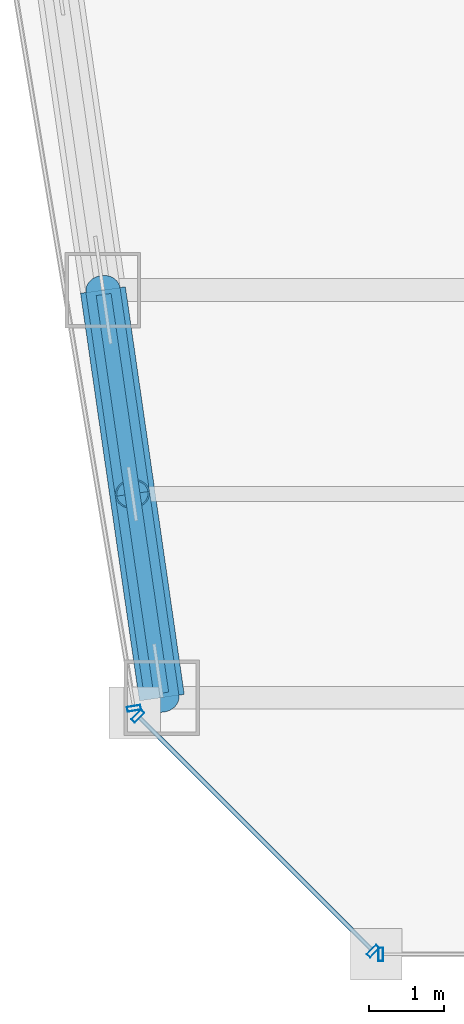
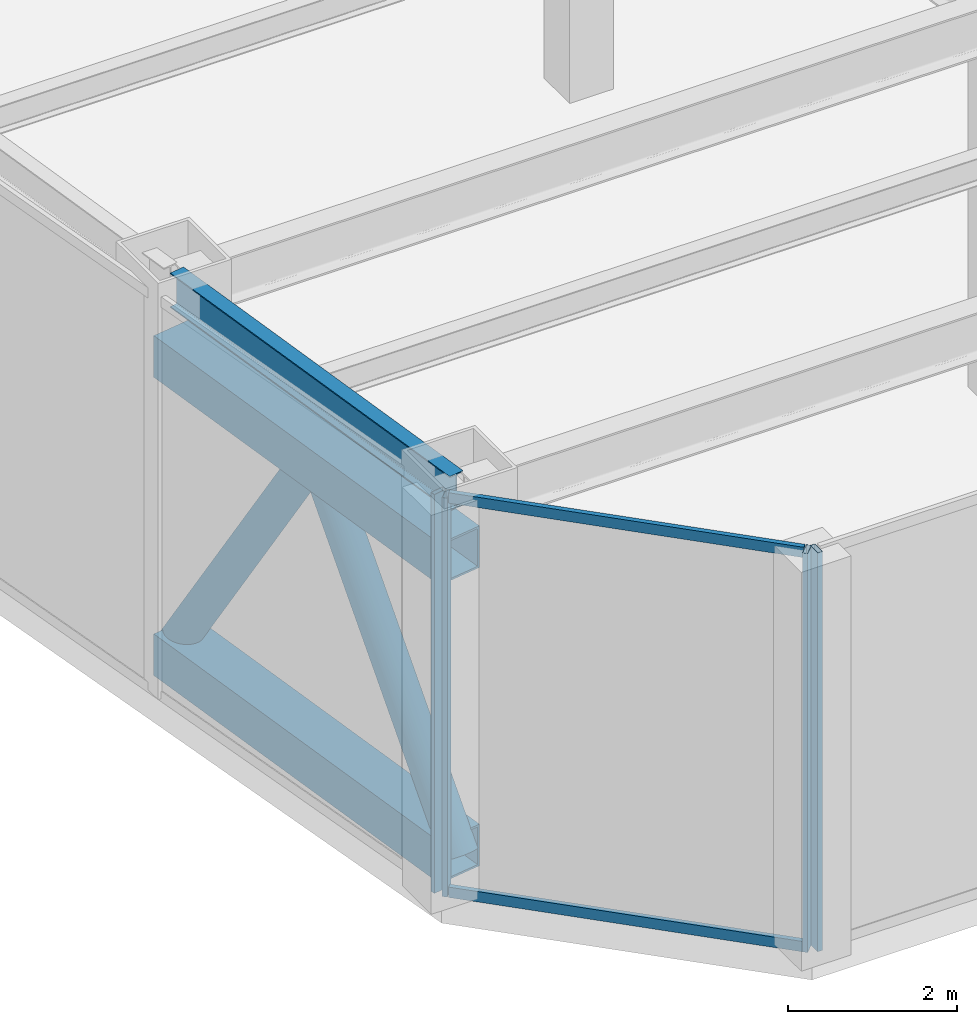
# One storey, part 2 of 30: 10 members, 1 beam, 3 elements without a shape of their own.
"""IFC4 building model written with IfcOpenShell, lengths in metres."""

from ifc_helpers import new_model, si_unit, direction, frame, origin, origin_2d, place, context, subcontext, project, spatial, hollow_rectangle, hollow_circle, i_section, extrude, material, material_profile, profile_set, type_object, element, aggregate, save


model = new_model("IFC4")

# Units and contexts
model_context = context("Model", 3, precision=1e-05, world=origin(), true_north=direction((0.0, 1.0)))
body_context = subcontext(model_context, "Body", "Model", "MODEL_VIEW")
ifc_project = project(units=[si_unit("LENGTHUNIT", "METRE"), si_unit("AREAUNIT", "SQUARE_METRE"), si_unit("VOLUMEUNIT", "CUBIC_METRE"), si_unit("PLANEANGLEUNIT", "RADIAN"), si_unit("MASSUNIT", "GRAM", prefix="KILO")], contexts=[model_context])

# Site, building, storey
site_placement = place(None, origin())
site = spatial("IfcSite", under=ifc_project, at=site_placement, CompositionType="ELEMENT")
building_placement = place(site_placement, origin())
building = spatial("IfcBuilding", under=site, at=building_placement, Name="Saevonmaru Cultural Tower", CompositionType="ELEMENT")
storey_placement = place(building_placement, frame((0.0, 0.0, 123.60009765625)))
storey = spatial("IfcBuildingStorey", under=building, at=storey_placement, Name="L26", CompositionType="ELEMENT", Elevation=123.60009765625)

# Beam
ifc_material_1 = material(Name="Steel SM355", Category="steel")
ifc_material_profile_1 = material_profile(ifc_material_1, i_section(OverallWidth=0.199951171875, OverallDepth=0.5, WebThickness=0.010009765625, FlangeThickness=0.01611328125, FilletRadius=0.02001953125, at=origin_2d()), Name="H-500x200x10x16")
ifc_profile_set_1 = profile_set([ifc_material_profile_1], Name="Steel SM355")
beam_type = type_object("IfcBeamType", Name="BM-SP-H500", PredefinedType="SPANDREL", material=ifc_profile_set_1)
beam_placement = place(storey_placement, frame((11.3994140625, 10.659423828125, 5.5), z_axis=(-0.1429328758, 0.989732384544, 0.0), x_axis=(-0.989732384544, -0.1429328758, 0.0)))
element("IfcBeam", 1, at=beam_placement, inside=storey, type_object=beam_type, Name="L26 West Splayed Spandrel 1", PredefinedType="SPANDREL", context=body_context, shape_type="SweptSolid", body=[
    extrude(i_section(OverallWidth=0.199951171875, OverallDepth=0.5, WebThickness=0.010009765625, FlangeThickness=0.01611328125, FilletRadius=0.02001953125, at=origin_2d()), origin(), (0.0, 0.0, 1.0), 5.3359375),
])

# Members
ifc_material_2 = material(Name="Steel SM420", Category="steel")
ifc_material_profile_2 = material_profile(ifc_material_2, hollow_circle(Radius=0.228515625, WallThickness=0.02001953125, at=origin_2d()), Name="CHS-457.2x20")
ifc_profile_set_2 = profile_set([ifc_material_profile_2], Name="Steel SM420")
member_type_1 = type_object("IfcMemberType", Name="MB-BBR-CHS457", PredefinedType="BRACE", material=ifc_profile_set_2)
for number, where, z_axis, x_axis, name in (
    (2, (11.407958984375, 10.60009765625, 0.2998046875), (-0.076564159168, 0.530196015175, 0.84441110546), (-0.989733562072, -0.142924721822, 0.0), "L26 Belt Truss Diagonal BW1-1"),
    (3, (10.6279296875, 16.0, 0.2998046875), (0.076611820355, -0.530194068398, 0.844408004946), (0.989720898515, 0.143012387723, 0.0), "L26 Belt Truss Diagonal BW1-2"),
):
    element("IfcMember", number, at=place(storey_placement, frame(where, z_axis=z_axis, x_axis=x_axis)), inside=storey, type_object=member_type_1, Name=name, PredefinedType="BRACE", context=body_context, shape_type="SweptSolid", body=[
        extrude(hollow_circle(Radius=0.228515625, WallThickness=0.02001953125, at=origin_2d()), origin(), (0.0, 0.0, 1.0), 5.09228515625),
    ])
ifc_material_profile_3 = material_profile(ifc_material_2, hollow_rectangle(XDim=0.60009765625, YDim=0.60009765625, WallThickness=0.028076171875, at=origin_2d()), Name="BOX-600x600x28")
ifc_profile_set_3 = profile_set([ifc_material_profile_3], Name="Steel SM420")
member_type_2 = type_object("IfcMemberType", Name="MB-BCH-BOX600", PredefinedType="CHORD", material=ifc_profile_set_3)
for number, where, z_axis, x_axis, name in (
    (4, (11.407958984375, 10.60009765625, 0.2998046875), (-0.142968555193, 0.989727231224, 0.0), (-0.989727231224, -0.142968555193, 0.0), "L26 Belt Truss Bottom Chord BW1"),
    (5, (11.407958984375, 10.60009765625, 4.599853515625), (-0.142968555193, 0.989727231224, 0.0), (-0.989727231224, -0.142968555193, 0.0), "L26 Belt Truss Top Chord BW1"),
):
    element("IfcMember", number, at=place(storey_placement, frame(where, z_axis=z_axis, x_axis=x_axis)), inside=storey, type_object=member_type_2, Name=name, PredefinedType="CHORD", context=body_context, shape_type="SweptSolid", body=[
        extrude(hollow_rectangle(XDim=0.60009765625, YDim=0.60009765625, WallThickness=0.028076171875, at=origin_2d()), origin(), (0.0, 0.0, 1.0), 5.4560546875),
    ])

# Curtain wall, members
ifc_material_3 = material(Name="Satin Bronze Anodised Aluminium", Category="aluminium")
curtain_wall_type = type_object("IfcCurtainWallType", Name="CW-TYP-A", PredefinedType="NOTDEFINED", material=ifc_material_3)
curtain_wall_1_placement = place(storey_placement, origin())
curtain_wall_1 = element("IfcCurtainWall", 6, at=curtain_wall_1_placement, inside=storey, type_object=curtain_wall_type, Name="L26 Wind-Floor Acoustic Louvre Screen E1", PredefinedType="NOTDEFINED")
ifc_material_profile_4 = material_profile(ifc_material_3, hollow_rectangle(XDim=0.06494140625, YDim=0.179931640625, WallThickness=0.00390625, at=origin_2d()), Name="ALU-MULL-180x65x4")
ifc_profile_set_4 = profile_set([ifc_material_profile_4], Name="Satin Bronze Anodised Aluminium")
member_type_3 = type_object("IfcMemberType", Name="ML-CW-180x65", PredefinedType="MULLION", material=ifc_profile_set_4)
member_1_placement = place(storey_placement, frame((11.09130859375, 10.357666015625, 0.0), z_axis=(0.0, 0.0, 1.0), x_axis=(0.707106781187, -0.707106781187, 0.0)))
member_1 = element("IfcMember", 7, at=member_1_placement, type_object=member_type_3, Name="CW-TW-L26-E1 mullion 1", PredefinedType="MULLION", context=body_context, shape_type="SweptSolid", body=[
    extrude(hollow_rectangle(XDim=0.06494140625, YDim=0.179931640625, WallThickness=0.00390625, at=origin_2d()), origin(), (0.0, 0.0, 1.0), 5.75),
])
member_2_placement = place(storey_placement, frame((14.20654296875, 7.242431640625, 0.0), z_axis=(0.0, 0.0, 1.0), x_axis=(0.707106781187, -0.707106781187, 0.0)))
member_2 = element("IfcMember", 8, at=member_2_placement, type_object=member_type_3, Name="CW-TW-L26-E1 mullion 2", PredefinedType="MULLION", context=body_context, shape_type="SweptSolid", body=[
    extrude(hollow_rectangle(XDim=0.06494140625, YDim=0.179931640625, WallThickness=0.00390625, at=origin_2d()), origin(), (0.0, 0.0, 1.0), 5.75),
])

# Curtain wall, member
curtain_wall_2_placement = place(storey_placement, origin())
curtain_wall_2 = element("IfcCurtainWall", 9, at=curtain_wall_2_placement, inside=storey, type_object=curtain_wall_type, Name="L26 Wind-Floor Acoustic Louvre Screen E2", PredefinedType="NOTDEFINED")
member_3_placement = place(storey_placement, frame((14.308837890625, 7.199951171875, 0.0), z_axis=(0.0, 0.0, 1.0), x_axis=(1.0, 0.0, 0.0)))
member_3 = element("IfcMember", 10, at=member_3_placement, type_object=member_type_3, Name="CW-TW-L26-E2 mullion 1", PredefinedType="MULLION", context=body_context, shape_type="SweptSolid", body=[
    extrude(hollow_rectangle(XDim=0.06494140625, YDim=0.179931640625, WallThickness=0.00390625, at=origin_2d()), origin(), (0.0, 0.0, 1.0), 5.75),
])
aggregate(curtain_wall_2, [member_3])

curtain_wall_3_placement = place(storey_placement, origin())
curtain_wall_3 = element("IfcCurtainWall", 11, at=curtain_wall_3_placement, inside=storey, type_object=curtain_wall_type, Name="L26 Wind-Floor Acoustic Louvre Screen E12", PredefinedType="NOTDEFINED")
member_4_placement = place(storey_placement, frame((11.0390625, 10.459228515625, 0.0), z_axis=(0.0, 0.0, 1.0), x_axis=(0.163998702345, -0.986460554523, 0.0)))
member_4 = element("IfcMember", 12, at=member_4_placement, type_object=member_type_3, Name="CW-TW-L26-E12 mullion 5", PredefinedType="MULLION", context=body_context, shape_type="SweptSolid", body=[
    extrude(hollow_rectangle(XDim=0.06494140625, YDim=0.179931640625, WallThickness=0.00390625, at=origin_2d()), origin(), (0.0, 0.0, 1.0), 5.75),
])
aggregate(curtain_wall_3, [member_4])

# Member
ifc_material_profile_5 = material_profile(ifc_material_3, hollow_rectangle(XDim=0.06494140625, YDim=0.14990234375, WallThickness=0.00390625, at=origin_2d()), Name="ALU-TRAN-150x65x4")
ifc_profile_set_5 = profile_set([ifc_material_profile_5], Name="Satin Bronze Anodised Aluminium")
member_type_4 = type_object("IfcMemberType", Name="TR-CW-150x65", PredefinedType="USERDEFINED", material=ifc_profile_set_5)
member_5_placement = place(storey_placement, frame((11.1142578125, 10.334716796875, 0.032470703125), z_axis=(0.707106781187, -0.707106781187, 0.0), x_axis=(0.707106781187, 0.707106781187, 0.0)))
member_5 = element("IfcMember", 13, at=member_5_placement, type_object=member_type_4, Name="CW-TW-L26-E1 transom 1.1", ObjectType="TRANSOM", PredefinedType="USERDEFINED", context=body_context, shape_type="SweptSolid", body=[
    extrude(hollow_rectangle(XDim=0.06494140625, YDim=0.14990234375, WallThickness=0.00390625, at=origin_2d()), origin(), (0.0, 0.0, 1.0), 4.340576171875),
])

member_6_placement = place(storey_placement, frame((11.1142578125, 10.334716796875, 5.71728515625), z_axis=(0.707106781187, -0.707106781187, 0.0), x_axis=(0.707106781187, 0.707106781187, 0.0)))
member_6 = element("IfcMember", 14, at=member_6_placement, type_object=member_type_4, Name="CW-TW-L26-E1 transom 1.2", ObjectType="TRANSOM", PredefinedType="USERDEFINED", context=body_context, shape_type="SweptSolid", body=[
    extrude(hollow_rectangle(XDim=0.06494140625, YDim=0.14990234375, WallThickness=0.00390625, at=origin_2d()), origin(), (0.0, 0.0, 1.0), 4.340576171875),
])

aggregate(curtain_wall_1, [member_1, member_2, member_5, member_6])

save(model, "model.ifc")
